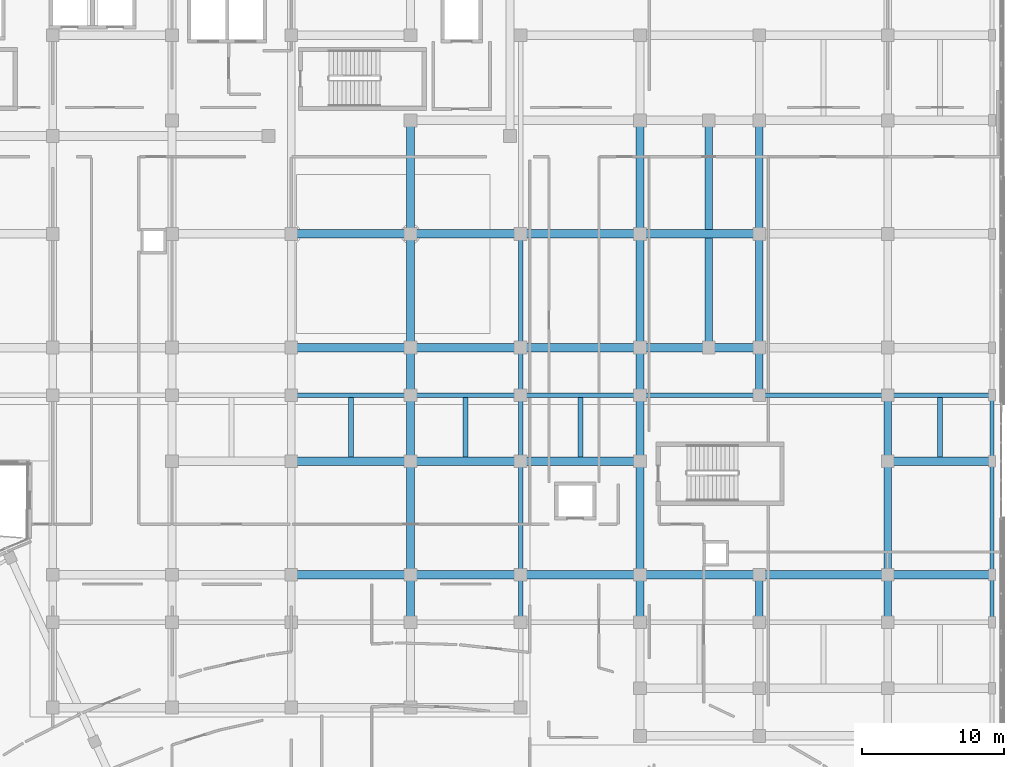
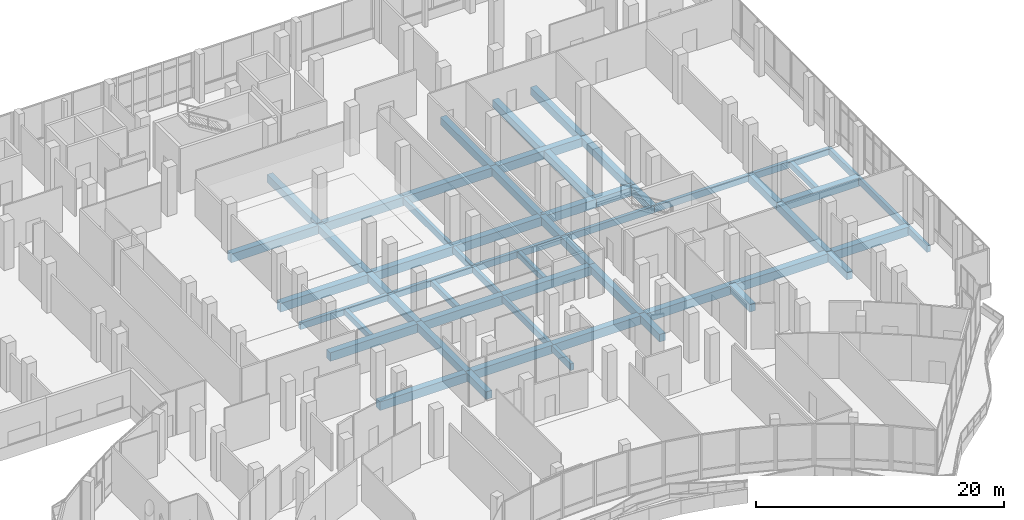
# One storey, part 110 of 168: 57 beams.
"""IFC4 building model written with IfcOpenShell, lengths in metres."""

from ifc_helpers import new_model, si_unit, direction, frame, origin, origin_2d, place, context, subcontext, project, spatial, rectangle, extrude, material, material_profile, profile_set, type_object, element, save


model = new_model("IFC4")

# Units and contexts
model_context = context("Model", 3, precision=1e-05, world=origin(), true_north=direction((0.0, 1.0)))
body_context = subcontext(model_context, "Body", "Model", "MODEL_VIEW")
ifc_project = project(units=[si_unit("LENGTHUNIT", "METRE"), si_unit("AREAUNIT", "SQUARE_METRE"), si_unit("VOLUMEUNIT", "CUBIC_METRE"), si_unit("PLANEANGLEUNIT", "RADIAN"), si_unit("MASSUNIT", "GRAM", prefix="KILO")], contexts=[model_context])

# Site, building, storey
site_placement = place(None, origin())
site = spatial("IfcSite", under=ifc_project, at=site_placement, CompositionType="ELEMENT")
building_placement = place(site_placement, origin())
building = spatial("IfcBuilding", under=site, at=building_placement, Name="Selatvlak General Hospital", CompositionType="ELEMENT")
storey_placement = place(building_placement, frame((0.0, 0.0, 5.39990234375)))
storey = spatial("IfcBuildingStorey", under=building, at=storey_placement, Name="L01", CompositionType="ELEMENT", Elevation=5.39990234375)

# Beams
ifc_material = material(Name="Concrete C40/50", Category="concrete")
ifc_material_profile_1 = material_profile(ifc_material, rectangle(XDim=0.60009765625, YDim=0.85009765625, at=origin_2d()), Name="RC-BM 600x850")
ifc_profile_set_1 = profile_set([ifc_material_profile_1], Name="Concrete C40/50")
beam_type_1 = type_object("IfcBeamType", Name="BM-G01", PredefinedType="BEAM", material=ifc_profile_set_1)
beam_1_placement = place(storey_placement, frame((132.0, 76.0, -0.744873046875), z_axis=(1.0, 0.0, 0.0), x_axis=(0.0, 1.0, 0.0)))
element("IfcBeam", 1, at=beam_1_placement, inside=storey, type_object=beam_type_1, Name="Beam BMR-L01-0416", PredefinedType="BEAM", context=body_context, shape_type="SweptSolid", body=[
    extrude(rectangle(XDim=0.60009765625, YDim=0.85009765625, at=origin_2d()), origin(), (0.0, 0.0, 1.0), 8.39990234375),
])
beam_2_placement = place(storey_placement, frame((140.39990234375, 76.0, -0.744873046875), z_axis=(1.0, 0.0, 0.0), x_axis=(0.0, 1.0, 0.0)))
element("IfcBeam", 2, at=beam_2_placement, inside=storey, type_object=beam_type_1, Name="Beam BMR-L01-0417", PredefinedType="BEAM", context=body_context, shape_type="SweptSolid", body=[
    extrude(rectangle(XDim=0.60009765625, YDim=0.85009765625, at=origin_2d()), origin(), (0.0, 0.0, 1.0), 7.75),
])
beam_3_placement = place(storey_placement, frame((148.14990234375, 76.0, -0.744873046875), z_axis=(1.0, 0.0, 0.0), x_axis=(0.0, 1.0, 0.0)))
element("IfcBeam", 3, at=beam_3_placement, inside=storey, type_object=beam_type_1, Name="Beam BMR-L01-0418", PredefinedType="BEAM", context=body_context, shape_type="SweptSolid", body=[
    extrude(rectangle(XDim=0.60009765625, YDim=0.85009765625, at=origin_2d()), origin(), (0.0, 0.0, 1.0), 8.400146484375),
])
beam_4_placement = place(storey_placement, frame((156.550048828125, 76.0, -0.744873046875), z_axis=(1.0, 0.0, 0.0), x_axis=(0.0, 1.0, 0.0)))
element("IfcBeam", 4, at=beam_4_placement, inside=storey, type_object=beam_type_1, Name="Beam BMR-L01-0419", PredefinedType="BEAM", context=body_context, shape_type="SweptSolid", body=[
    extrude(rectangle(XDim=0.60009765625, YDim=0.85009765625, at=origin_2d()), origin(), (0.0, 0.0, 1.0), 8.39990234375),
])
beam_5_placement = place(storey_placement, frame((164.949951171875, 76.0, -0.744873046875), z_axis=(1.0, 0.0, 0.0), x_axis=(0.0, 1.0, 0.0)))
element("IfcBeam", 5, at=beam_5_placement, inside=storey, type_object=beam_type_1, Name="Beam BMR-L01-0420", PredefinedType="BEAM", context=body_context, shape_type="SweptSolid", body=[
    extrude(rectangle(XDim=0.60009765625, YDim=0.85009765625, at=origin_2d()), origin(), (0.0, 0.0, 1.0), 9.050048828125),
])
beam_6_placement = place(storey_placement, frame((174.0, 76.0, -0.744873046875), z_axis=(1.0, 0.0, 0.0), x_axis=(0.0, 1.0, 0.0)))
element("IfcBeam", 6, at=beam_6_placement, inside=storey, type_object=beam_type_1, Name="Beam BMR-L01-0421", PredefinedType="BEAM", context=body_context, shape_type="SweptSolid", body=[
    extrude(rectangle(XDim=0.60009765625, YDim=0.85009765625, at=origin_2d()), origin(), (0.0, 0.0, 1.0), 7.35009765625),
])
beam_7_placement = place(storey_placement, frame((132.0, 84.0, -0.744873046875), z_axis=(1.0, 0.0, 0.0), x_axis=(0.0, 1.0, 0.0)))
element("IfcBeam", 7, at=beam_7_placement, inside=storey, type_object=beam_type_1, Name="Beam BMR-L01-0430", PredefinedType="BEAM", context=body_context, shape_type="SweptSolid", body=[
    extrude(rectangle(XDim=0.60009765625, YDim=0.85009765625, at=origin_2d()), origin(), (0.0, 0.0, 1.0), 8.39990234375),
])
beam_8_placement = place(storey_placement, frame((140.39990234375, 84.0, -0.744873046875), z_axis=(1.0, 0.0, 0.0), x_axis=(0.0, 1.0, 0.0)))
element("IfcBeam", 8, at=beam_8_placement, inside=storey, type_object=beam_type_1, Name="Beam BMR-L01-0431", PredefinedType="BEAM", context=body_context, shape_type="SweptSolid", body=[
    extrude(rectangle(XDim=0.60009765625, YDim=0.85009765625, at=origin_2d()), origin(), (0.0, 0.0, 1.0), 7.75),
])
beam_9_placement = place(storey_placement, frame((148.14990234375, 84.0, -0.744873046875), z_axis=(1.0, 0.0, 0.0), x_axis=(0.0, 1.0, 0.0)))
element("IfcBeam", 9, at=beam_9_placement, inside=storey, type_object=beam_type_1, Name="Beam BMR-L01-0432", PredefinedType="BEAM", context=body_context, shape_type="SweptSolid", body=[
    extrude(rectangle(XDim=0.60009765625, YDim=0.85009765625, at=origin_2d()), origin(), (0.0, 0.0, 1.0), 8.400146484375),
])
beam_10_placement = place(storey_placement, frame((174.0, 84.0, -0.744873046875), z_axis=(1.0, 0.0, 0.0), x_axis=(0.0, 1.0, 0.0)))
element("IfcBeam", 10, at=beam_10_placement, inside=storey, type_object=beam_type_1, Name="Beam BMR-L01-0433", PredefinedType="BEAM", context=body_context, shape_type="SweptSolid", body=[
    extrude(rectangle(XDim=0.60009765625, YDim=0.85009765625, at=origin_2d()), origin(), (0.0, 0.0, 1.0), 7.35009765625),
])
beam_11_placement = place(storey_placement, frame((132.0, 92.0, -0.744873046875), z_axis=(1.0, 0.0, 0.0), x_axis=(0.0, 1.0, 0.0)))
element("IfcBeam", 11, at=beam_11_placement, inside=storey, type_object=beam_type_1, Name="Beam BMR-L01-0465", PredefinedType="BEAM", context=body_context, shape_type="SweptSolid", body=[
    extrude(rectangle(XDim=0.60009765625, YDim=0.85009765625, at=origin_2d()), origin(), (0.0, 0.0, 1.0), 8.39990234375),
])
beam_12_placement = place(storey_placement, frame((140.39990234375, 92.0, -0.744873046875), z_axis=(1.0, 0.0, 0.0), x_axis=(0.0, 1.0, 0.0)))
element("IfcBeam", 12, at=beam_12_placement, inside=storey, type_object=beam_type_1, Name="Beam BMR-L01-0466", PredefinedType="BEAM", context=body_context, shape_type="SweptSolid", body=[
    extrude(rectangle(XDim=0.60009765625, YDim=0.85009765625, at=origin_2d()), origin(), (0.0, 0.0, 1.0), 7.75),
])
beam_13_placement = place(storey_placement, frame((148.14990234375, 92.0, -0.744873046875), z_axis=(1.0, 0.0, 0.0), x_axis=(0.0, 1.0, 0.0)))
element("IfcBeam", 13, at=beam_13_placement, inside=storey, type_object=beam_type_1, Name="Beam BMR-L01-0467", PredefinedType="BEAM", context=body_context, shape_type="SweptSolid", body=[
    extrude(rectangle(XDim=0.60009765625, YDim=0.85009765625, at=origin_2d()), origin(), (0.0, 0.0, 1.0), 8.400146484375),
])
beam_14_placement = place(storey_placement, frame((156.550048828125, 92.0, -0.744873046875), z_axis=(1.0, 0.0, 0.0), x_axis=(0.0, 1.0, 0.0)))
element("IfcBeam", 14, at=beam_14_placement, inside=storey, type_object=beam_type_1, Name="Beam BMR-L01-0468", PredefinedType="BEAM", context=body_context, shape_type="SweptSolid", body=[
    extrude(rectangle(XDim=0.60009765625, YDim=0.85009765625, at=origin_2d()), origin(), (0.0, 0.0, 1.0), 4.849853515625),
])
beam_15_placement = place(storey_placement, frame((161.39990234375, 92.0, -0.744873046875), z_axis=(1.0, 0.0, 0.0), x_axis=(0.0, 1.0, 0.0)))
element("IfcBeam", 15, at=beam_15_placement, inside=storey, type_object=beam_type_1, Name="Beam BMR-L01-0469", PredefinedType="BEAM", context=body_context, shape_type="SweptSolid", body=[
    extrude(rectangle(XDim=0.60009765625, YDim=0.85009765625, at=origin_2d()), origin(), (0.0, 0.0, 1.0), 3.550048828125),
])
beam_16_placement = place(storey_placement, frame((132.0, 100.0, -0.744873046875), z_axis=(1.0, 0.0, 0.0), x_axis=(0.0, 1.0, 0.0)))
element("IfcBeam", 16, at=beam_16_placement, inside=storey, type_object=beam_type_1, Name="Beam BMR-L01-0486", PredefinedType="BEAM", context=body_context, shape_type="SweptSolid", body=[
    extrude(rectangle(XDim=0.60009765625, YDim=0.85009765625, at=origin_2d()), origin(), (0.0, 0.0, 1.0), 8.39990234375),
])
beam_17_placement = place(storey_placement, frame((140.39990234375, 100.0, -0.744873046875), z_axis=(1.0, 0.0, 0.0), x_axis=(0.0, 1.0, 0.0)))
element("IfcBeam", 17, at=beam_17_placement, inside=storey, type_object=beam_type_1, Name="Beam BMR-L01-0487", PredefinedType="BEAM", context=body_context, shape_type="SweptSolid", body=[
    extrude(rectangle(XDim=0.60009765625, YDim=0.85009765625, at=origin_2d()), origin(), (0.0, 0.0, 1.0), 7.75),
])
beam_18_placement = place(storey_placement, frame((148.14990234375, 100.0, -0.744873046875), z_axis=(1.0, 0.0, 0.0), x_axis=(0.0, 1.0, 0.0)))
element("IfcBeam", 18, at=beam_18_placement, inside=storey, type_object=beam_type_1, Name="Beam BMR-L01-0488", PredefinedType="BEAM", context=body_context, shape_type="SweptSolid", body=[
    extrude(rectangle(XDim=0.60009765625, YDim=0.85009765625, at=origin_2d()), origin(), (0.0, 0.0, 1.0), 8.400146484375),
])
beam_19_placement = place(storey_placement, frame((156.550048828125, 100.0, -0.744873046875), z_axis=(1.0, 0.0, 0.0), x_axis=(0.0, 1.0, 0.0)))
element("IfcBeam", 19, at=beam_19_placement, inside=storey, type_object=beam_type_1, Name="Beam BMR-L01-0489", PredefinedType="BEAM", context=body_context, shape_type="SweptSolid", body=[
    extrude(rectangle(XDim=0.60009765625, YDim=0.85009765625, at=origin_2d()), origin(), (0.0, 0.0, 1.0), 8.39990234375),
])
ifc_material_profile_2 = material_profile(ifc_material, rectangle(XDim=0.550048828125, YDim=0.75, at=origin_2d()), Name="RC-BM 550x750")
ifc_profile_set_2 = profile_set([ifc_material_profile_2], Name="Concrete C40/50")
beam_type_2 = type_object("IfcBeamType", Name="BM-G02", PredefinedType="BEAM", material=ifc_profile_set_2)
beam_20_placement = place(storey_placement, frame((140.39990234375, 72.64990234375, -0.69482421875), z_axis=(0.0, 1.0, 0.0), x_axis=(-1.0, 0.0, 0.0)))
element("IfcBeam", 20, at=beam_20_placement, inside=storey, type_object=beam_type_2, Name="Beam BMR-L01-0641", PredefinedType="BEAM", context=body_context, shape_type="SweptSolid", body=[
    extrude(rectangle(XDim=0.550048828125, YDim=0.75, at=origin_2d()), origin(), (0.0, 0.0, 1.0), 3.35009765625),
])
beam_21_placement = place(storey_placement, frame((140.39990234375, 76.0, -0.69482421875), z_axis=(0.0, 1.0, 0.0), x_axis=(-1.0, 0.0, 0.0)))
element("IfcBeam", 21, at=beam_21_placement, inside=storey, type_object=beam_type_2, Name="Beam BMR-L01-0642", PredefinedType="BEAM", context=body_context, shape_type="SweptSolid", body=[
    extrude(rectangle(XDim=0.550048828125, YDim=0.75, at=origin_2d()), origin(), (0.0, 0.0, 1.0), 8.0),
])
beam_22_placement = place(storey_placement, frame((140.39990234375, 84.0, -0.69482421875), z_axis=(0.0, 1.0, 0.0), x_axis=(-1.0, 0.0, 0.0)))
element("IfcBeam", 22, at=beam_22_placement, inside=storey, type_object=beam_type_2, Name="Beam BMR-L01-0643", PredefinedType="BEAM", context=body_context, shape_type="SweptSolid", body=[
    extrude(rectangle(XDim=0.550048828125, YDim=0.75, at=origin_2d()), origin(), (0.0, 0.0, 1.0), 4.64990234375),
])
beam_23_placement = place(storey_placement, frame((140.39990234375, 88.64990234375, -0.69482421875), z_axis=(0.0, 1.0, 0.0), x_axis=(-1.0, 0.0, 0.0)))
element("IfcBeam", 23, at=beam_23_placement, inside=storey, type_object=beam_type_2, Name="Beam BMR-L01-0644", PredefinedType="BEAM", context=body_context, shape_type="SweptSolid", body=[
    extrude(rectangle(XDim=0.550048828125, YDim=0.75, at=origin_2d()), origin(), (0.0, 0.0, 1.0), 3.35009765625),
])
for number, where, z_axis, x_axis, name in (
    (24, (140.39990234375, 92.0, -0.69482421875), (0.0, 1.0, 0.0), (-1.0, 0.0, 0.0), "Beam BMR-L01-0645"),
    (25, (140.39990234375, 100.0, -0.69482421875), (0.0, 1.0, 0.0), (-1.0, 0.0, 0.0), "Beam BMR-L01-0646"),
):
    element("IfcBeam", number, at=place(storey_placement, frame(where, z_axis=z_axis, x_axis=x_axis)), inside=storey, type_object=beam_type_2, Name=name, PredefinedType="BEAM", context=body_context, shape_type="SweptSolid", body=[
        extrude(rectangle(XDim=0.550048828125, YDim=0.75, at=origin_2d()), origin(), (0.0, 0.0, 1.0), 8.0),
    ])
beam_24_placement = place(storey_placement, frame((156.550048828125, 72.64990234375, -0.69482421875), z_axis=(0.0, 1.0, 0.0), x_axis=(-1.0, 0.0, 0.0)))
element("IfcBeam", 26, at=beam_24_placement, inside=storey, type_object=beam_type_2, Name="Beam BMR-L01-0658", PredefinedType="BEAM", context=body_context, shape_type="SweptSolid", body=[
    extrude(rectangle(XDim=0.550048828125, YDim=0.75, at=origin_2d()), origin(), (0.0, 0.0, 1.0), 3.35009765625),
])
beam_25_placement = place(storey_placement, frame((156.550048828125, 76.0, -0.69482421875), z_axis=(0.0, 1.0, 0.0), x_axis=(-1.0, 0.0, 0.0)))
element("IfcBeam", 27, at=beam_25_placement, inside=storey, type_object=beam_type_2, Name="Beam BMR-L01-0659", PredefinedType="BEAM", context=body_context, shape_type="SweptSolid", body=[
    extrude(rectangle(XDim=0.550048828125, YDim=0.75, at=origin_2d()), origin(), (0.0, 0.0, 1.0), 8.0),
])
beam_26_placement = place(storey_placement, frame((156.550048828125, 84.0, -0.69482421875), z_axis=(0.0, 1.0, 0.0), x_axis=(-1.0, 0.0, 0.0)))
element("IfcBeam", 28, at=beam_26_placement, inside=storey, type_object=beam_type_2, Name="Beam BMR-L01-0660", PredefinedType="BEAM", context=body_context, shape_type="SweptSolid", body=[
    extrude(rectangle(XDim=0.550048828125, YDim=0.75, at=origin_2d()), origin(), (0.0, 0.0, 1.0), 4.64990234375),
])
beam_27_placement = place(storey_placement, frame((156.550048828125, 88.64990234375, -0.69482421875), z_axis=(0.0, 1.0, 0.0), x_axis=(-1.0, 0.0, 0.0)))
element("IfcBeam", 29, at=beam_27_placement, inside=storey, type_object=beam_type_2, Name="Beam BMR-L01-0661", PredefinedType="BEAM", context=body_context, shape_type="SweptSolid", body=[
    extrude(rectangle(XDim=0.550048828125, YDim=0.75, at=origin_2d()), origin(), (0.0, 0.0, 1.0), 3.35009765625),
])
for number, where, z_axis, x_axis, name in (
    (30, (156.550048828125, 92.0, -0.69482421875), (0.0, 1.0, 0.0), (-1.0, 0.0, 0.0), "Beam BMR-L01-0662"),
    (31, (156.550048828125, 100.0, -0.69482421875), (0.0, 1.0, 0.0), (-1.0, 0.0, 0.0), "Beam BMR-L01-0663"),
):
    element("IfcBeam", number, at=place(storey_placement, frame(where, z_axis=z_axis, x_axis=x_axis)), inside=storey, type_object=beam_type_2, Name=name, PredefinedType="BEAM", context=body_context, shape_type="SweptSolid", body=[
        extrude(rectangle(XDim=0.550048828125, YDim=0.75, at=origin_2d()), origin(), (0.0, 0.0, 1.0), 8.0),
    ])
beam_28_placement = place(storey_placement, frame((161.39990234375, 92.0, -0.69482421875), z_axis=(0.0, 1.0, 0.0), x_axis=(-1.0, 0.0, 0.0)))
element("IfcBeam", 32, at=beam_28_placement, inside=storey, type_object=beam_type_2, Name="Beam BMR-L01-0665", PredefinedType="BEAM", context=body_context, shape_type="SweptSolid", body=[
    extrude(rectangle(XDim=0.550048828125, YDim=0.75, at=origin_2d()), origin(), (0.0, 0.0, 1.0), 16.0),
])
for number, where, z_axis, x_axis, name in (
    (33, (164.949951171875, 72.64990234375, -0.69482421875), (0.0, 1.0, 0.0), (-1.0, 0.0, 0.0), "Beam BMR-L01-0668"),
    (34, (164.949951171875, 88.64990234375, -0.69482421875), (0.0, 1.0, 0.0), (-1.0, 0.0, 0.0), "Beam BMR-L01-0669"),
):
    element("IfcBeam", number, at=place(storey_placement, frame(where, z_axis=z_axis, x_axis=x_axis)), inside=storey, type_object=beam_type_2, Name=name, PredefinedType="BEAM", context=body_context, shape_type="SweptSolid", body=[
        extrude(rectangle(XDim=0.550048828125, YDim=0.75, at=origin_2d()), origin(), (0.0, 0.0, 1.0), 3.35009765625),
    ])
for number, where, z_axis, x_axis, name in (
    (35, (164.949951171875, 92.0, -0.69482421875), (0.0, 1.0, 0.0), (-1.0, 0.0, 0.0), "Beam BMR-L01-0670"),
    (36, (164.949951171875, 100.0, -0.69482421875), (0.0, 1.0, 0.0), (-1.0, 0.0, 0.0), "Beam BMR-L01-0671"),
):
    element("IfcBeam", number, at=place(storey_placement, frame(where, z_axis=z_axis, x_axis=x_axis)), inside=storey, type_object=beam_type_2, Name=name, PredefinedType="BEAM", context=body_context, shape_type="SweptSolid", body=[
        extrude(rectangle(XDim=0.550048828125, YDim=0.75, at=origin_2d()), origin(), (0.0, 0.0, 1.0), 8.0),
    ])
beam_29_placement = place(storey_placement, frame((174.0, 72.64990234375, -0.69482421875), z_axis=(0.0, 1.0, 0.0), x_axis=(-1.0, 0.0, 0.0)))
element("IfcBeam", 37, at=beam_29_placement, inside=storey, type_object=beam_type_2, Name="Beam BMR-L01-0675", PredefinedType="BEAM", context=body_context, shape_type="SweptSolid", body=[
    extrude(rectangle(XDim=0.550048828125, YDim=0.75, at=origin_2d()), origin(), (0.0, 0.0, 1.0), 3.35009765625),
])
beam_30_placement = place(storey_placement, frame((174.0, 76.0, -0.69482421875), z_axis=(0.0, 1.0, 0.0), x_axis=(-1.0, 0.0, 0.0)))
element("IfcBeam", 38, at=beam_30_placement, inside=storey, type_object=beam_type_2, Name="Beam BMR-L01-0676", PredefinedType="BEAM", context=body_context, shape_type="SweptSolid", body=[
    extrude(rectangle(XDim=0.550048828125, YDim=0.75, at=origin_2d()), origin(), (0.0, 0.0, 1.0), 8.0),
])
beam_31_placement = place(storey_placement, frame((174.0, 84.0, -0.69482421875), z_axis=(0.0, 1.0, 0.0), x_axis=(-1.0, 0.0, 0.0)))
element("IfcBeam", 39, at=beam_31_placement, inside=storey, type_object=beam_type_2, Name="Beam BMR-L01-0677", PredefinedType="BEAM", context=body_context, shape_type="SweptSolid", body=[
    extrude(rectangle(XDim=0.550048828125, YDim=0.75, at=origin_2d()), origin(), (0.0, 0.0, 1.0), 4.64990234375),
])
ifc_material_profile_3 = material_profile(ifc_material, rectangle(XDim=0.35009765625, YDim=0.550048828125, at=origin_2d()), Name="RC-BM 350x550")
ifc_profile_set_3 = profile_set([ifc_material_profile_3], Name="Concrete C40/50")
beam_type_3 = type_object("IfcBeamType", Name="BM-J01", PredefinedType="JOIST", material=ifc_profile_set_3)
for number, where, z_axis, x_axis, name in (
    (40, (136.199951171875, 84.300048828125, -0.594970703125), (0.0, 1.0, 0.0), (-1.0, 0.0, 0.0), "Beam BMR-L01-0697"),
    (41, (144.27490234375, 84.300048828125, -0.594970703125), (0.0, 1.0, 0.0), (-1.0, 0.0, 0.0), "Beam BMR-L01-0698"),
    (42, (152.35009765625, 84.300048828125, -0.594970703125), (0.0, 1.0, 0.0), (-1.0, 0.0, 0.0), "Beam BMR-L01-0699"),
    (43, (177.675048828125, 84.300048828125, -0.594970703125), (0.0, 1.0, 0.0), (-1.0, 0.0, 0.0), "Beam BMR-L01-0700"),
):
    element("IfcBeam", number, at=place(storey_placement, frame(where, z_axis=z_axis, x_axis=x_axis)), inside=storey, type_object=beam_type_3, Name=name, PredefinedType="JOIST", context=body_context, shape_type="SweptSolid", body=[
        extrude(rectangle(XDim=0.35009765625, YDim=0.550048828125, at=origin_2d()), origin(), (0.0, 0.0, 1.0), 4.199951171875),
    ])
ifc_material_profile_4 = material_profile(ifc_material, rectangle(XDim=0.300048828125, YDim=0.64990234375, at=origin_2d()), Name="RC-SP 300x650")
ifc_profile_set_4 = profile_set([ifc_material_profile_4], Name="Concrete C40/50")
beam_type_4 = type_object("IfcBeamType", Name="BM-SP1", PredefinedType="SPANDREL", material=ifc_profile_set_4)
beam_32_placement = place(storey_placement, frame((132.0, 88.64990234375, -0.64501953125), z_axis=(1.0, 0.0, 0.0), x_axis=(0.0, 1.0, 0.0)))
element("IfcBeam", 44, at=beam_32_placement, inside=storey, type_object=beam_type_4, Name="Beam BMR-L01-0445", PredefinedType="SPANDREL", context=body_context, shape_type="SweptSolid", body=[
    extrude(rectangle(XDim=0.300048828125, YDim=0.64990234375, at=origin_2d()), origin(), (0.0, 0.0, 1.0), 8.39990234375),
])
beam_33_placement = place(storey_placement, frame((140.39990234375, 88.64990234375, -0.64501953125), z_axis=(1.0, 0.0, 0.0), x_axis=(0.0, 1.0, 0.0)))
element("IfcBeam", 45, at=beam_33_placement, inside=storey, type_object=beam_type_4, Name="Beam BMR-L01-0446", PredefinedType="SPANDREL", context=body_context, shape_type="SweptSolid", body=[
    extrude(rectangle(XDim=0.300048828125, YDim=0.64990234375, at=origin_2d()), origin(), (0.0, 0.0, 1.0), 7.75),
])
beam_34_placement = place(storey_placement, frame((148.14990234375, 88.64990234375, -0.64501953125), z_axis=(1.0, 0.0, 0.0), x_axis=(0.0, 1.0, 0.0)))
element("IfcBeam", 46, at=beam_34_placement, inside=storey, type_object=beam_type_4, Name="Beam BMR-L01-0447", PredefinedType="SPANDREL", context=body_context, shape_type="SweptSolid", body=[
    extrude(rectangle(XDim=0.300048828125, YDim=0.64990234375, at=origin_2d()), origin(), (0.0, 0.0, 1.0), 8.400146484375),
])
beam_35_placement = place(storey_placement, frame((156.550048828125, 88.64990234375, -0.64501953125), z_axis=(1.0, 0.0, 0.0), x_axis=(0.0, 1.0, 0.0)))
element("IfcBeam", 47, at=beam_35_placement, inside=storey, type_object=beam_type_4, Name="Beam BMR-L01-0448", PredefinedType="SPANDREL", context=body_context, shape_type="SweptSolid", body=[
    extrude(rectangle(XDim=0.300048828125, YDim=0.64990234375, at=origin_2d()), origin(), (0.0, 0.0, 1.0), 8.39990234375),
])
beam_36_placement = place(storey_placement, frame((164.949951171875, 88.64990234375, -0.64501953125), z_axis=(1.0, 0.0, 0.0), x_axis=(0.0, 1.0, 0.0)))
element("IfcBeam", 48, at=beam_36_placement, inside=storey, type_object=beam_type_4, Name="Beam BMR-L01-0449", PredefinedType="SPANDREL", context=body_context, shape_type="SweptSolid", body=[
    extrude(rectangle(XDim=0.300048828125, YDim=0.64990234375, at=origin_2d()), origin(), (0.0, 0.0, 1.0), 9.050048828125),
])
beam_37_placement = place(storey_placement, frame((174.0, 88.64990234375, -0.64501953125), z_axis=(1.0, 0.0, 0.0), x_axis=(0.0, 1.0, 0.0)))
element("IfcBeam", 49, at=beam_37_placement, inside=storey, type_object=beam_type_4, Name="Beam BMR-L01-0450", PredefinedType="SPANDREL", context=body_context, shape_type="SweptSolid", body=[
    extrude(rectangle(XDim=0.300048828125, YDim=0.64990234375, at=origin_2d()), origin(), (0.0, 0.0, 1.0), 7.35009765625),
])
beam_38_placement = place(storey_placement, frame((148.14990234375, 72.64990234375, -0.64501953125), z_axis=(0.0, 1.0, 0.0), x_axis=(-1.0, 0.0, 0.0)))
element("IfcBeam", 50, at=beam_38_placement, inside=storey, type_object=beam_type_4, Name="Beam BMR-L01-0650", PredefinedType="SPANDREL", context=body_context, shape_type="SweptSolid", body=[
    extrude(rectangle(XDim=0.300048828125, YDim=0.64990234375, at=origin_2d()), origin(), (0.0, 0.0, 1.0), 3.35009765625),
])
beam_39_placement = place(storey_placement, frame((148.14990234375, 76.0, -0.64501953125), z_axis=(0.0, 1.0, 0.0), x_axis=(-1.0, 0.0, 0.0)))
element("IfcBeam", 51, at=beam_39_placement, inside=storey, type_object=beam_type_4, Name="Beam BMR-L01-0651", PredefinedType="SPANDREL", context=body_context, shape_type="SweptSolid", body=[
    extrude(rectangle(XDim=0.300048828125, YDim=0.64990234375, at=origin_2d()), origin(), (0.0, 0.0, 1.0), 8.0),
])
beam_40_placement = place(storey_placement, frame((148.14990234375, 84.0, -0.64501953125), z_axis=(0.0, 1.0, 0.0), x_axis=(-1.0, 0.0, 0.0)))
element("IfcBeam", 52, at=beam_40_placement, inside=storey, type_object=beam_type_4, Name="Beam BMR-L01-0652", PredefinedType="SPANDREL", context=body_context, shape_type="SweptSolid", body=[
    extrude(rectangle(XDim=0.300048828125, YDim=0.64990234375, at=origin_2d()), origin(), (0.0, 0.0, 1.0), 4.64990234375),
])
beam_41_placement = place(storey_placement, frame((148.14990234375, 88.64990234375, -0.64501953125), z_axis=(0.0, 1.0, 0.0), x_axis=(-1.0, 0.0, 0.0)))
element("IfcBeam", 53, at=beam_41_placement, inside=storey, type_object=beam_type_4, Name="Beam BMR-L01-0653", PredefinedType="SPANDREL", context=body_context, shape_type="SweptSolid", body=[
    extrude(rectangle(XDim=0.300048828125, YDim=0.64990234375, at=origin_2d()), origin(), (0.0, 0.0, 1.0), 3.35009765625),
])
beam_42_placement = place(storey_placement, frame((148.14990234375, 92.0, -0.64501953125), z_axis=(0.0, 1.0, 0.0), x_axis=(-1.0, 0.0, 0.0)))
element("IfcBeam", 54, at=beam_42_placement, inside=storey, type_object=beam_type_4, Name="Beam BMR-L01-0654", PredefinedType="SPANDREL", context=body_context, shape_type="SweptSolid", body=[
    extrude(rectangle(XDim=0.300048828125, YDim=0.64990234375, at=origin_2d()), origin(), (0.0, 0.0, 1.0), 8.0),
])
beam_43_placement = place(storey_placement, frame((181.35009765625, 72.64990234375, -0.64501953125), z_axis=(0.0, 1.0, 0.0), x_axis=(-1.0, 0.0, 0.0)))
element("IfcBeam", 55, at=beam_43_placement, inside=storey, type_object=beam_type_4, Name="Beam BMR-L01-0685", PredefinedType="SPANDREL", context=body_context, shape_type="SweptSolid", body=[
    extrude(rectangle(XDim=0.300048828125, YDim=0.64990234375, at=origin_2d()), origin(), (0.0, 0.0, 1.0), 3.35009765625),
])
beam_44_placement = place(storey_placement, frame((181.35009765625, 76.0, -0.64501953125), z_axis=(0.0, 1.0, 0.0), x_axis=(-1.0, 0.0, 0.0)))
element("IfcBeam", 56, at=beam_44_placement, inside=storey, type_object=beam_type_4, Name="Beam BMR-L01-0686", PredefinedType="SPANDREL", context=body_context, shape_type="SweptSolid", body=[
    extrude(rectangle(XDim=0.300048828125, YDim=0.64990234375, at=origin_2d()), origin(), (0.0, 0.0, 1.0), 8.0),
])
beam_45_placement = place(storey_placement, frame((181.35009765625, 84.0, -0.64501953125), z_axis=(0.0, 1.0, 0.0), x_axis=(-1.0, 0.0, 0.0)))
element("IfcBeam", 57, at=beam_45_placement, inside=storey, type_object=beam_type_4, Name="Beam BMR-L01-0687", PredefinedType="SPANDREL", context=body_context, shape_type="SweptSolid", body=[
    extrude(rectangle(XDim=0.300048828125, YDim=0.64990234375, at=origin_2d()), origin(), (0.0, 0.0, 1.0), 4.64990234375),
])

save(model, "model.ifc")
